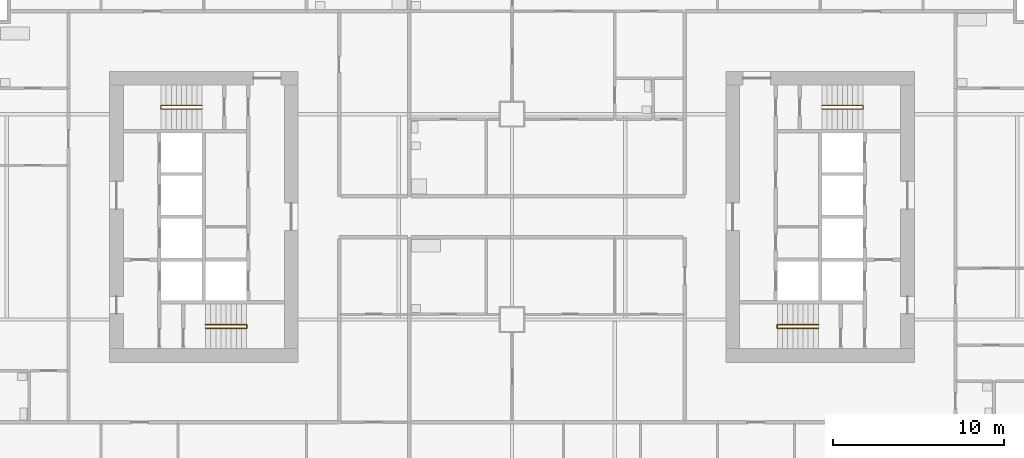
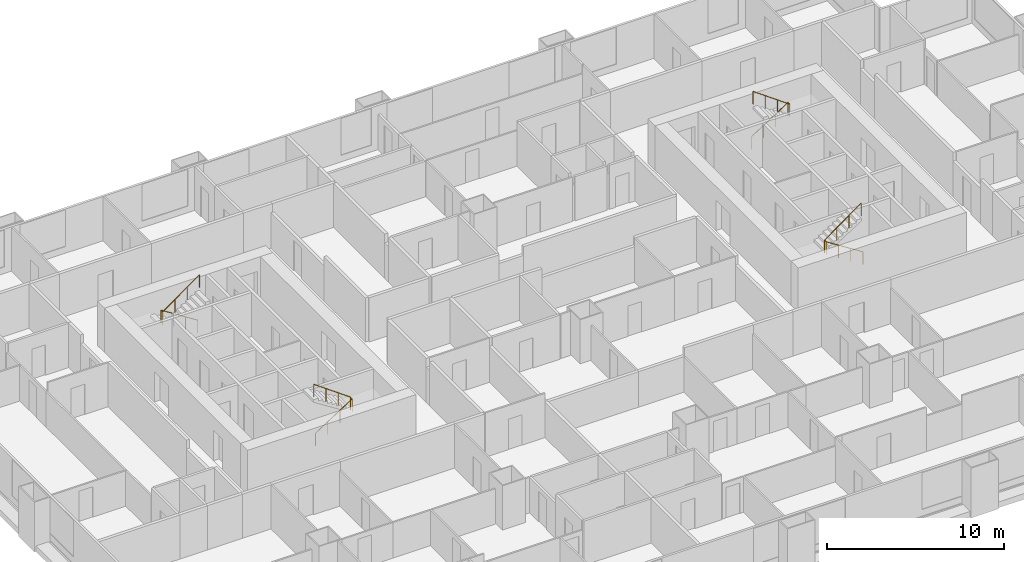
# One storey, part 12 of 13: 4 railings.
"""IFC4 building model written with IfcOpenShell, lengths in metres."""

from ifc_helpers import new_model, si_unit, direction, frame, origin, origin_2d, place, context, subcontext, project, spatial, circle, extrude, material, type_object, element, save


model = new_model("IFC4")

# Units and contexts
model_context = context("Model", 3, precision=1e-05, world=origin(), true_north=direction((0.0, 1.0)))
body_context = subcontext(model_context, "Body", "Model", "MODEL_VIEW")
ifc_project = project(units=[si_unit("LENGTHUNIT", "METRE"), si_unit("AREAUNIT", "SQUARE_METRE"), si_unit("VOLUMEUNIT", "CUBIC_METRE"), si_unit("PLANEANGLEUNIT", "RADIAN"), si_unit("MASSUNIT", "GRAM", prefix="KILO")], contexts=[model_context])

# Site, building, storey
site_placement = place(None, origin())
site = spatial("IfcSite", under=ifc_project, at=site_placement, CompositionType="ELEMENT")
building_placement = place(site_placement, origin())
building = spatial("IfcBuilding", under=site, at=building_placement, Name="Kitamizu Gate Tower and Museum", CompositionType="ELEMENT")
storey_placement = place(building_placement, frame((0.0, 0.0, 40.35009765625)))
storey = spatial("IfcBuildingStorey", under=building, at=storey_placement, Name="L08", CompositionType="ELEMENT", Elevation=40.35009765625)

# Railings
ifc_material = material(Name="Stainless steel SUS304", Category="steel")
railing_type = type_object("IfcRailingType", Name="Stair handrail 900", PredefinedType="HANDRAIL", material=ifc_material)
railing_1_placement = place(storey_placement, frame((18.10009765625, 23.5, 0.191650390625)))
element("IfcRailing", 1, at=railing_1_placement, inside=storey, type_object=railing_type, Name="Stair handrail ST1", PredefinedType="HANDRAIL", context=body_context, shape_type="SweptSolid", body=[
    extrude(circle(Radius=0.02392578125, at=origin_2d()), frame((0.0, 0.0, 0.8759765625), z_axis=(0.84270706373, 0.0, 0.538372366248), x_axis=(0.0, 1.0, 0.0)), (0.0, 0.0, 1.0), 2.847900390625),
    extrude(circle(Radius=0.02392578125, at=origin_2d()), frame((2.39990234375, 0.0, 2.4091796875), z_axis=(0.0, 1.0, 0.0), x_axis=(-1.0, 0.0, 0.0)), (0.0, 0.0, 1.0), 0.199951171875),
    extrude(circle(Radius=0.02392578125, at=origin_2d()), frame((2.39990234375, 0.199951171875, 2.4091796875), z_axis=(-0.811988456656, 0.0, 0.583673492852), x_axis=(0.0, -1.0, 0.0)), (0.0, 0.0, 1.0), 2.95556640625),
    extrude(circle(Radius=0.02099609375, at=origin_2d()), origin(), (0.0, 0.0, 1.0), 0.851806640625),
    extrude(circle(Radius=0.02099609375, at=origin_2d()), frame((0.800048828125, 0.0, 0.510986328125)), (0.0, 0.0, 1.0), 0.851806640625),
    extrude(circle(Radius=0.02099609375, at=origin_2d()), frame((1.599853515625, 0.0, 1.022216796875)), (0.0, 0.0, 1.0), 0.851806640625),
    extrude(circle(Radius=0.02099609375, at=origin_2d()), frame((2.39990234375, 0.0, 1.533203125)), (0.0, 0.0, 1.0), 0.851806640625),
    extrude(circle(Radius=0.02099609375, at=origin_2d()), frame((2.39990234375, 0.199951171875, 1.533203125)), (0.0, 0.0, 1.0), 0.851806640625),
    extrude(circle(Radius=0.02099609375, at=origin_2d()), frame((1.599853515625, 0.199951171875, 2.108154296875)), (0.0, 0.0, 1.0), 0.851806640625),
    extrude(circle(Radius=0.02099609375, at=origin_2d()), frame((0.800048828125, 0.199951171875, 2.683349609375)), (0.0, 0.0, 1.0), 0.851806640625),
    extrude(circle(Radius=0.02099609375, at=origin_2d()), frame((0.0, 0.199951171875, 3.25830078125)), (0.0, 0.0, 1.0), 0.851806640625),
])
railing_2_placement = place(storey_placement, frame((17.89990234375, 36.5, 0.191650390625)))
element("IfcRailing", 2, at=railing_2_placement, inside=storey, type_object=railing_type, Name="Stair handrail ST2", PredefinedType="HANDRAIL", context=body_context, shape_type="SweptSolid", body=[
    extrude(circle(Radius=0.02392578125, at=origin_2d()), frame((0.0, 0.0, 0.8759765625), z_axis=(-0.84270706373, 0.0, 0.538372366248), x_axis=(0.0, -1.0, 0.0)), (0.0, 0.0, 1.0), 2.847900390625),
    extrude(circle(Radius=0.02392578125, at=origin_2d()), frame((-2.39990234375, 0.0, 2.4091796875), z_axis=(0.0, -1.0, 0.0), x_axis=(1.0, 0.0, 0.0)), (0.0, 0.0, 1.0), 0.199951171875),
    extrude(circle(Radius=0.02392578125, at=origin_2d()), frame((-2.39990234375, -0.199951171875, 2.4091796875), z_axis=(0.811988456656, 0.0, 0.583673492852), x_axis=(0.0, 1.0, 0.0)), (0.0, 0.0, 1.0), 2.95556640625),
    extrude(circle(Radius=0.02099609375, at=origin_2d()), origin(), (0.0, 0.0, 1.0), 0.851806640625),
    extrude(circle(Radius=0.02099609375, at=origin_2d()), frame((-0.800048828125, 0.0, 0.510986328125)), (0.0, 0.0, 1.0), 0.851806640625),
    extrude(circle(Radius=0.02099609375, at=origin_2d()), frame((-1.599853515625, 0.0, 1.022216796875)), (0.0, 0.0, 1.0), 0.851806640625),
    extrude(circle(Radius=0.02099609375, at=origin_2d()), frame((-2.39990234375, 0.0, 1.533203125)), (0.0, 0.0, 1.0), 0.851806640625),
    extrude(circle(Radius=0.02099609375, at=origin_2d()), frame((-2.39990234375, -0.199951171875, 1.533203125)), (0.0, 0.0, 1.0), 0.851806640625),
    extrude(circle(Radius=0.02099609375, at=origin_2d()), frame((-1.599853515625, -0.199951171875, 2.108154296875)), (0.0, 0.0, 1.0), 0.851806640625),
    extrude(circle(Radius=0.02099609375, at=origin_2d()), frame((-0.800048828125, -0.199951171875, 2.683349609375)), (0.0, 0.0, 1.0), 0.851806640625),
    extrude(circle(Radius=0.02099609375, at=origin_2d()), frame((0.0, -0.199951171875, 3.25830078125)), (0.0, 0.0, 1.0), 0.851806640625),
])
railing_3_placement = place(storey_placement, frame((53.89990234375, 23.5, 0.191650390625)))
element("IfcRailing", 3, at=railing_3_placement, inside=storey, type_object=railing_type, Name="Stair handrail ST3", PredefinedType="HANDRAIL", context=body_context, shape_type="SweptSolid", body=[
    extrude(circle(Radius=0.02392578125, at=origin_2d()), frame((0.0, 0.0, 0.8759765625), z_axis=(-0.84270706373, 0.0, 0.538372366248), x_axis=(0.0, -1.0, 0.0)), (0.0, 0.0, 1.0), 2.847900390625),
    extrude(circle(Radius=0.02392578125, at=origin_2d()), frame((-2.39990234375, 0.0, 2.4091796875), z_axis=(0.0, 1.0, 0.0), x_axis=(-1.0, 0.0, 0.0)), (0.0, 0.0, 1.0), 0.199951171875),
    extrude(circle(Radius=0.02392578125, at=origin_2d()), frame((-2.39990234375, 0.199951171875, 2.4091796875), z_axis=(0.811988456656, 0.0, 0.583673492852), x_axis=(0.0, 1.0, 0.0)), (0.0, 0.0, 1.0), 2.95556640625),
    extrude(circle(Radius=0.02099609375, at=origin_2d()), origin(), (0.0, 0.0, 1.0), 0.851806640625),
    extrude(circle(Radius=0.02099609375, at=origin_2d()), frame((-0.800048828125, 0.0, 0.510986328125)), (0.0, 0.0, 1.0), 0.851806640625),
    extrude(circle(Radius=0.02099609375, at=origin_2d()), frame((-1.599853515625, 0.0, 1.022216796875)), (0.0, 0.0, 1.0), 0.851806640625),
    extrude(circle(Radius=0.02099609375, at=origin_2d()), frame((-2.39990234375, 0.0, 1.533203125)), (0.0, 0.0, 1.0), 0.851806640625),
    extrude(circle(Radius=0.02099609375, at=origin_2d()), frame((-2.39990234375, 0.199951171875, 1.533203125)), (0.0, 0.0, 1.0), 0.851806640625),
    extrude(circle(Radius=0.02099609375, at=origin_2d()), frame((-1.599853515625, 0.199951171875, 2.108154296875)), (0.0, 0.0, 1.0), 0.851806640625),
    extrude(circle(Radius=0.02099609375, at=origin_2d()), frame((-0.800048828125, 0.199951171875, 2.683349609375)), (0.0, 0.0, 1.0), 0.851806640625),
    extrude(circle(Radius=0.02099609375, at=origin_2d()), frame((0.0, 0.199951171875, 3.25830078125)), (0.0, 0.0, 1.0), 0.851806640625),
])
railing_4_placement = place(storey_placement, frame((54.10009765625, 36.5, 0.191650390625)))
element("IfcRailing", 4, at=railing_4_placement, inside=storey, type_object=railing_type, Name="Stair handrail ST4", PredefinedType="HANDRAIL", context=body_context, shape_type="SweptSolid", body=[
    extrude(circle(Radius=0.02392578125, at=origin_2d()), frame((0.0, 0.0, 0.8759765625), z_axis=(0.84270706373, 0.0, 0.538372366248), x_axis=(0.0, 1.0, 0.0)), (0.0, 0.0, 1.0), 2.847900390625),
    extrude(circle(Radius=0.02392578125, at=origin_2d()), frame((2.39990234375, 0.0, 2.4091796875), z_axis=(0.0, -1.0, 0.0), x_axis=(1.0, 0.0, 0.0)), (0.0, 0.0, 1.0), 0.199951171875),
    extrude(circle(Radius=0.02392578125, at=origin_2d()), frame((2.39990234375, -0.199951171875, 2.4091796875), z_axis=(-0.811988456656, 0.0, 0.583673492852), x_axis=(0.0, -1.0, 0.0)), (0.0, 0.0, 1.0), 2.95556640625),
    extrude(circle(Radius=0.02099609375, at=origin_2d()), origin(), (0.0, 0.0, 1.0), 0.851806640625),
    extrude(circle(Radius=0.02099609375, at=origin_2d()), frame((0.800048828125, 0.0, 0.510986328125)), (0.0, 0.0, 1.0), 0.851806640625),
    extrude(circle(Radius=0.02099609375, at=origin_2d()), frame((1.599853515625, 0.0, 1.022216796875)), (0.0, 0.0, 1.0), 0.851806640625),
    extrude(circle(Radius=0.02099609375, at=origin_2d()), frame((2.39990234375, 0.0, 1.533203125)), (0.0, 0.0, 1.0), 0.851806640625),
    extrude(circle(Radius=0.02099609375, at=origin_2d()), frame((2.39990234375, -0.199951171875, 1.533203125)), (0.0, 0.0, 1.0), 0.851806640625),
    extrude(circle(Radius=0.02099609375, at=origin_2d()), frame((1.599853515625, -0.199951171875, 2.108154296875)), (0.0, 0.0, 1.0), 0.851806640625),
    extrude(circle(Radius=0.02099609375, at=origin_2d()), frame((0.800048828125, -0.199951171875, 2.683349609375)), (0.0, 0.0, 1.0), 0.851806640625),
    extrude(circle(Radius=0.02099609375, at=origin_2d()), frame((0.0, -0.199951171875, 3.25830078125)), (0.0, 0.0, 1.0), 0.851806640625),
])

save(model, "model.ifc")
